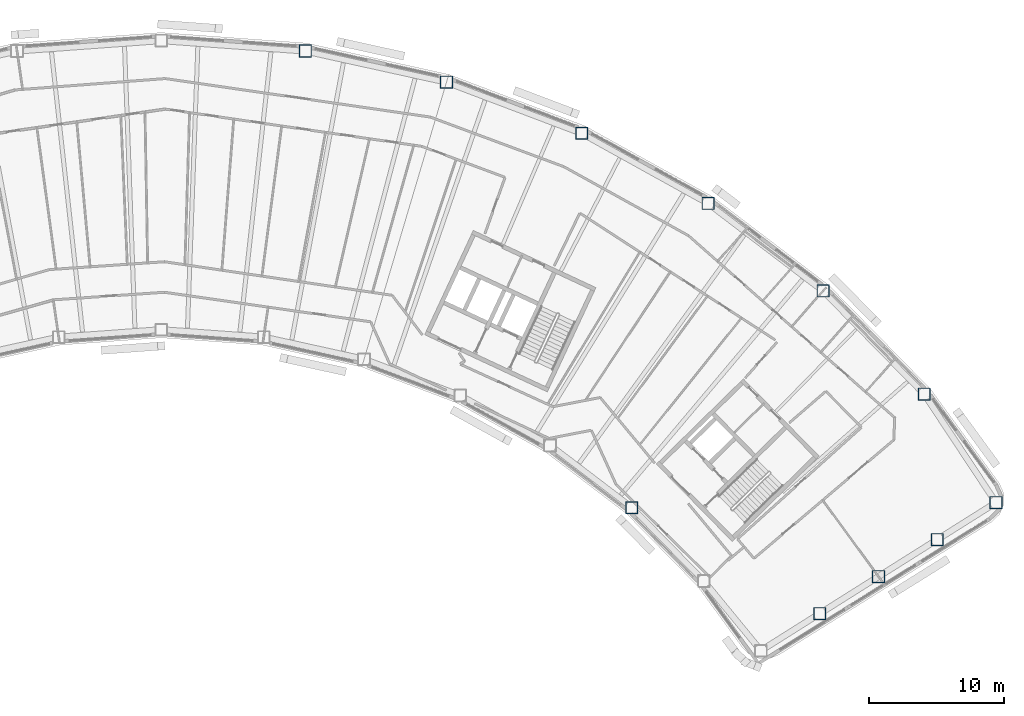
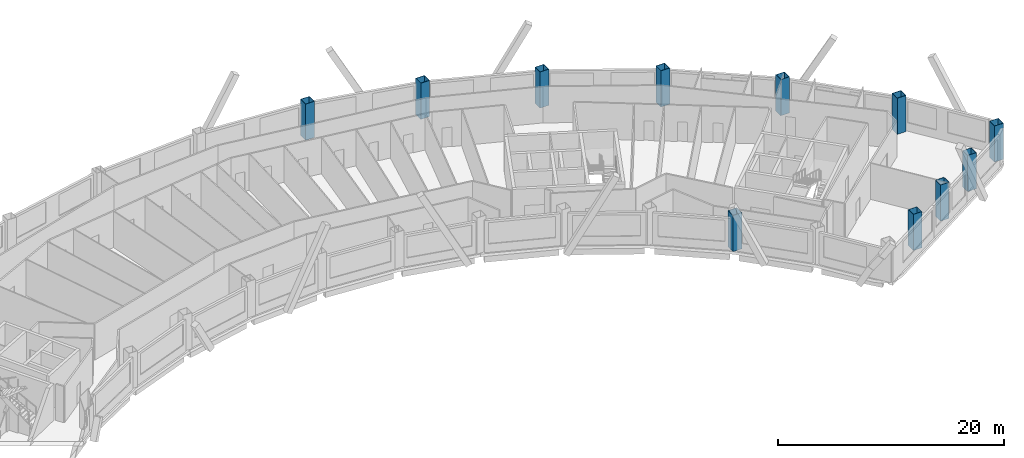
# One storey, part 2 of 14: 11 columns.
"""IFC4 building model written with IfcOpenShell, lengths in metres."""

from ifc_helpers import new_model, si_unit, direction, frame, origin, origin_2d, place, context, subcontext, project, spatial, hollow_rectangle, extrude, material, material_profile, profile_set, type_object, element, save


model = new_model("IFC4")

# Units and contexts
model_context = context("Model", 3, precision=1e-05, world=origin(), true_north=direction((0.0, 1.0)))
body_context = subcontext(model_context, "Body", "Model", "MODEL_VIEW")
ifc_project = project(units=[si_unit("LENGTHUNIT", "METRE"), si_unit("AREAUNIT", "SQUARE_METRE"), si_unit("VOLUMEUNIT", "CUBIC_METRE"), si_unit("PLANEANGLEUNIT", "RADIAN"), si_unit("MASSUNIT", "GRAM", prefix="KILO")], contexts=[model_context])

# Site, building, storey
site_placement = place(None, origin())
site = spatial("IfcSite", under=ifc_project, at=site_placement, CompositionType="ELEMENT")
building_placement = place(site_placement, origin())
building = spatial("IfcBuilding", under=site, at=building_placement, Name="Tuul Gate Civic Tower", CompositionType="ELEMENT")
storey_placement = place(building_placement, frame((0.0, 0.0, 217.89990234375)))
storey = spatial("IfcBuildingStorey", under=building, at=storey_placement, Name="Level 49", CompositionType="ELEMENT", Elevation=217.89990234375)

# Columns
ifc_material = material(Name="Steel S355", Category="steel")
ifc_material_profile = material_profile(ifc_material, hollow_rectangle(XDim=0.89990234375, YDim=0.89990234375, WallThickness=0.031982421875, at=origin_2d()), Name="BOX900x900x32")
ifc_profile_set = profile_set([ifc_material_profile], Name="Steel S355")
column_type = type_object("IfcColumnType", Name="STR-COLUMN-BOX900x900x32", PredefinedType="COLUMN", material=ifc_profile_set)
for number, where, z_axis, x_axis, name in (
    (1, (67.611083984375, -15.56298828125, 0.0), (0.0, 0.0, 1.0), (1.0, 0.0, 0.0), "Column"),
    (2, (62.31201171875, -7.550048828125, 0.0), (0.0, 0.0, 1.0), (1.0, 0.0, 0.0), "Column"),
    (3, (54.8369140625, 0.074951171875, 0.0), (0.0, 0.0, 1.0), (1.0, 0.0, 0.0), "Column"),
    (4, (46.342041015625, 6.54296875, 0.0), (0.0, 0.0, 1.0), (1.0, 0.0, 0.0), "Column"),
    (5, (37.0029296875, 11.718994140625, 0.0), (0.0, 0.0, 1.0), (1.0, 0.0, 0.0), "Column"),
    (6, (27.01611328125, 15.49609375, 0.0), (0.0, 0.0, 1.0), (1.0, 0.0, 0.0), "Column"),
    (7, (16.589111328125, 17.7939453125, 0.0), (0.0, 0.0, 1.0), (1.0, 0.0, 0.0), "Column"),
    (8, (40.7060546875, -15.93798828125, 0.0), (0.0, 0.0, 1.0), (1.0, 0.0, 0.0), "Column"),
    (9, (54.5830078125, -23.76708984375, 0.0), (0.0, 0.0, 1.0), (1.0, 0.0, 0.0), "Column"),
    (10, (58.926025390625, -21.031982421875, 0.0), (0.0, 0.0, 1.0), (1.0, 0.0, 0.0), "Column"),
    (11, (63.26806640625, -18.297119140625, 0.0), (0.0, 0.0, 1.0), (1.0, 0.0, 0.0), "Column"),
):
    element("IfcColumn", number, at=place(storey_placement, frame(where, z_axis=z_axis, x_axis=x_axis)), inside=storey, type_object=column_type, Name=name, PredefinedType="COLUMN", context=body_context, shape_type="SweptSolid", body=[
        extrude(hollow_rectangle(XDim=0.89990234375, YDim=0.89990234375, WallThickness=0.031982421875, at=origin_2d()), origin(), (0.0, 0.0, 1.0), 3.900146484375),
    ])

save(model, "model.ifc")
